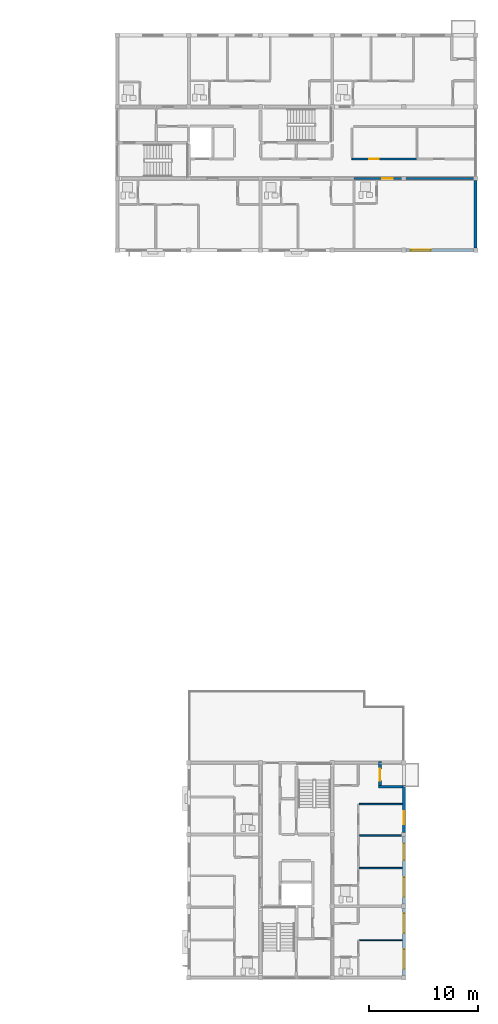
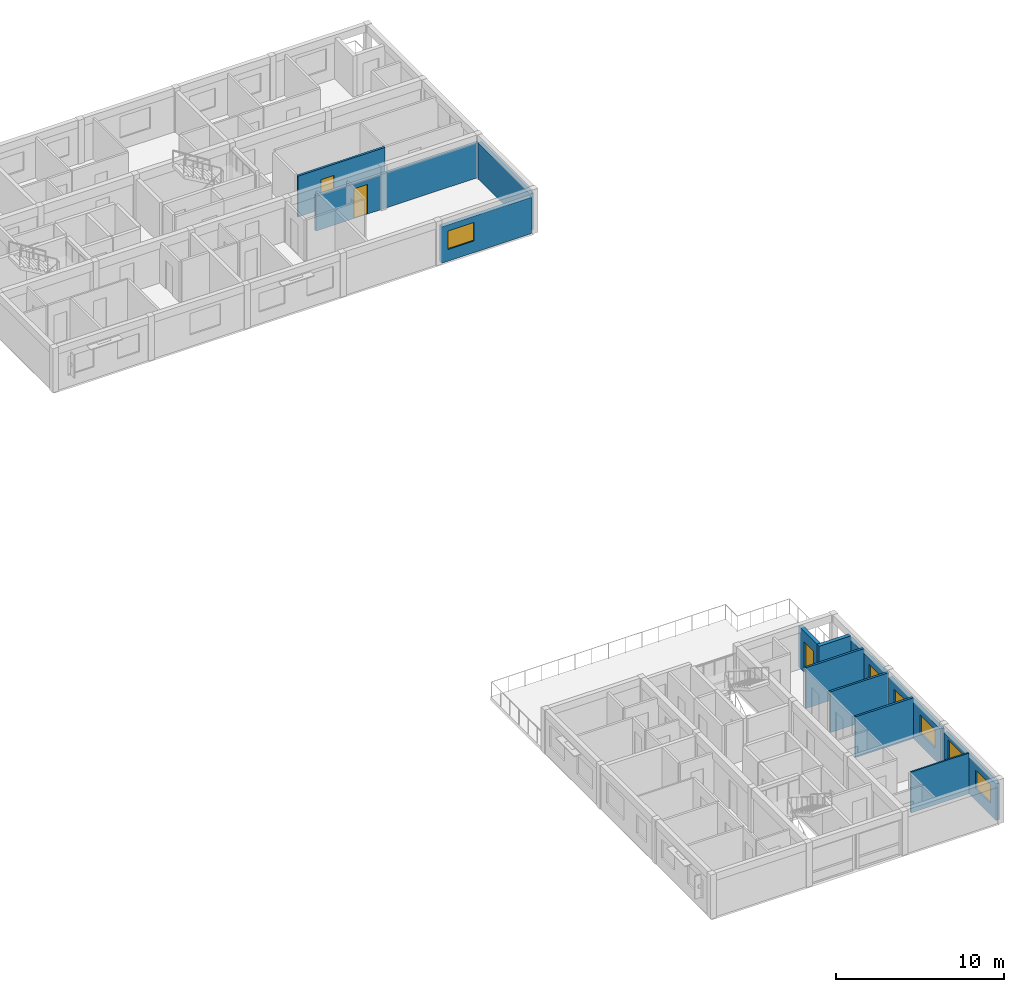
# One storey, part 26 of 37: 13 walls, 6 windows, 3 doors, 9 openings.
"""IFC4 building model written with IfcOpenShell, lengths in metres."""

from ifc_helpers import new_model, si_unit, direction, frame, frame_2d, origin, place, context, subcontext, project, spatial, rectangle, extrude, material, layer, layer_set, type_object, element, fill, save


model = new_model("IFC4")

# Units and contexts
model_context = context("Model", 3, precision=1e-05, world=origin(), true_north=direction((0.0, 1.0)))
body_context = subcontext(model_context, "Body", "Model", "MODEL_VIEW")
ifc_project = project(units=[si_unit("LENGTHUNIT", "METRE"), si_unit("AREAUNIT", "SQUARE_METRE"), si_unit("VOLUMEUNIT", "CUBIC_METRE"), si_unit("PLANEANGLEUNIT", "RADIAN"), si_unit("MASSUNIT", "GRAM", prefix="KILO")], contexts=[model_context])

# Site, building, storey
site_placement = place(None, origin())
site = spatial("IfcSite", under=ifc_project, at=site_placement, CompositionType="ELEMENT")
building_placement = place(site_placement, origin())
building = spatial("IfcBuilding", under=site, at=building_placement, Name="Kernevlak Ridge Housing Community", CompositionType="ELEMENT")
storey_placement = place(building_placement, frame((0.0, 0.0, 37.199951171875)))
storey = spatial("IfcBuildingStorey", under=building, at=storey_placement, Name="L11", CompositionType="ELEMENT", Elevation=37.199951171875)

# Wall, opening, window
ifc_material_1 = material(Name="Concrete block masonry M10", Category="masonry")
ifc_layer_1 = layer(ifc_material_1, 0.260009765625, Name="Concrete block masonry M10")
ifc_layer_set_1 = layer_set([ifc_layer_1], Name="Concrete block masonry M10")
wall_type_1 = type_object("IfcWallType", Name="EW-05", PredefinedType="STANDARD", material=ifc_layer_set_1)
wall_1_placement = place(storey_placement, frame((146.0, 82.60009765625, 0.0), z_axis=(0.0, 0.0, 1.0), x_axis=(1.0, 0.0, 0.0)))
wall_1 = element("IfcWall", 1, at=wall_1_placement, inside=storey, type_object=wall_type_1, Name="Exterior wall EW-05 L11 471", PredefinedType="STANDARD", context=body_context, shape_type="SweptSolid", body=[
    extrude(rectangle(XDim=6.199951171875, YDim=0.260009765625, at=frame_2d((3.10009765625, 0.0))), origin(), (0.0, 0.0, 1.0), 2.650146484375),
])
opening_1_placement = place(wall_1_placement, frame((0.449951171875, 0.0, 0.85009765625)))
opening_1 = element("IfcOpeningElement", 2, at=opening_1_placement, cuts=wall_1, Name="Opening WT-03", PredefinedType="OPENING", context=body_context, shape_type="SweptSolid", body=[
    extrude(rectangle(XDim=1.800048828125, YDim=1.35009765625, at=frame_2d((0.89990234375, 0.675048828125))), frame((0.0, 0.139892578125, 0.0), z_axis=(0.0, -1.0, 0.0), x_axis=(1.0, 0.0, 0.0)), (0.0, 0.0, 1.0), 0.280029296875),
])
ifc_material_2 = material(Name="Aluminium EN AW-6060 anodised and laminated glass", Category="aluminium")
window_type_1 = type_object("IfcWindowType", Name="WT-03", PartitioningType="SINGLE_PANEL", PredefinedType="WINDOW", material=ifc_material_2)
window_1_placement = place(opening_1_placement, origin())
window_1 = element("IfcWindow", 3, at=window_1_placement, inside=storey, type_object=window_type_1, Name="Window WT-03 L11 366", OverallHeight=1.35009765625, OverallWidth=1.800048828125, PartitioningType="SINGLE_PANEL", PredefinedType="WINDOW", context=body_context, shape_type="SweptSolid", body=[
    extrude(rectangle(XDim=1.800048828125, YDim=1.35009765625, at=frame_2d((0.89990234375, 0.675048828125))), frame((0.0, 0.030029296875, 0.0), z_axis=(0.0, -1.0, 0.0), x_axis=(1.0, 0.0, 0.0)), (0.0, 0.0, 1.0), 0.06005859375),
])
fill(opening_1, window_1)

# Wall
wall_2_placement = place(storey_placement, frame((152.39990234375, 82.800048828125, 0.0), z_axis=(0.0, 0.0, 1.0), x_axis=(0.0, 1.0, 0.0)))
element("IfcWall", 4, at=wall_2_placement, inside=storey, type_object=wall_type_1, Name="Exterior wall EW-05 L11 481", PredefinedType="STANDARD", context=body_context, shape_type="SweptSolid", body=[
    extrude(rectangle(XDim=6.199951171875, YDim=0.260009765625, at=frame_2d((3.10009765625, 0.0))), origin(), (0.0, 0.0, 1.0), 2.650146484375),
])

# Wall, openings, windows
wall_3_placement = place(storey_placement, frame((145.800048828125, 15.800048828125, 0.0), z_axis=(0.0, 0.0, 1.0), x_axis=(0.0, 1.0, 0.0)))
wall_3 = element("IfcWall", 5, at=wall_3_placement, inside=storey, type_object=wall_type_1, Name="Exterior wall EW-05 L11 687", PredefinedType="STANDARD", context=body_context, shape_type="SweptSolid", body=[
    extrude(rectangle(XDim=6.199951171875, YDim=0.260009765625, at=frame_2d((3.10009765625, 0.0))), origin(), (0.0, 0.0, 1.0), 2.650146484375),
])
opening_2_placement = place(wall_3_placement, frame((0.625, 0.0, 0.85009765625)))
opening_2 = element("IfcOpeningElement", 6, at=opening_2_placement, cuts=wall_3, Name="Opening WT-03", PredefinedType="OPENING", context=body_context, shape_type="SweptSolid", body=[
    extrude(rectangle(XDim=1.800048828125, YDim=1.35009765625, at=frame_2d((0.89990234375, 0.675048828125))), frame((0.0, 0.139892578125, 0.0), z_axis=(0.0, -1.0, 0.0), x_axis=(1.0, 0.0, 0.0)), (0.0, 0.0, 1.0), 0.280029296875),
])
opening_3_placement = place(wall_3_placement, frame((3.925048828125, 0.0, 0.85009765625)))
opening_3 = element("IfcOpeningElement", 7, at=opening_3_placement, cuts=wall_3, Name="Opening WT-04", PredefinedType="OPENING", context=body_context, shape_type="SweptSolid", body=[
    extrude(rectangle(XDim=1.800048828125, YDim=1.550048828125, at=frame_2d((0.89990234375, 0.77490234375))), frame((0.0, 0.139892578125, 0.0), z_axis=(0.0, -1.0, 0.0), x_axis=(1.0, 0.0, 0.0)), (0.0, 0.0, 1.0), 0.280029296875),
])
window_2_placement = place(opening_2_placement, origin())
window_2 = element("IfcWindow", 8, at=window_2_placement, inside=storey, type_object=window_type_1, Name="Window WT-03 L11 562", OverallHeight=1.35009765625, OverallWidth=1.800048828125, PartitioningType="SINGLE_PANEL", PredefinedType="WINDOW", context=body_context, shape_type="SweptSolid", body=[
    extrude(rectangle(XDim=1.800048828125, YDim=1.35009765625, at=frame_2d((0.89990234375, 0.675048828125))), frame((0.0, 0.030029296875, 0.0), z_axis=(0.0, -1.0, 0.0), x_axis=(1.0, 0.0, 0.0)), (0.0, 0.0, 1.0), 0.06005859375),
])
fill(opening_2, window_2)
window_type_2 = type_object("IfcWindowType", Name="WT-04", PartitioningType="SINGLE_PANEL", PredefinedType="WINDOW", material=ifc_material_2)
window_3_placement = place(opening_3_placement, origin())
window_3 = element("IfcWindow", 9, at=window_3_placement, inside=storey, type_object=window_type_2, Name="Window WT-04 L11 563", OverallHeight=1.550048828125, OverallWidth=1.800048828125, PartitioningType="SINGLE_PANEL", PredefinedType="WINDOW", context=body_context, shape_type="SweptSolid", body=[
    extrude(rectangle(XDim=1.800048828125, YDim=1.550048828125, at=frame_2d((0.89990234375, 0.77490234375))), frame((0.0, 0.030029296875, 0.0), z_axis=(0.0, -1.0, 0.0), x_axis=(1.0, 0.0, 0.0)), (0.0, 0.0, 1.0), 0.06005859375),
])
fill(opening_3, window_3)

wall_4_placement = place(storey_placement, frame((145.800048828125, 22.39990234375, 0.0), z_axis=(0.0, 0.0, 1.0), x_axis=(0.0, 1.0, 0.0)))
wall_4 = element("IfcWall", 10, at=wall_4_placement, inside=storey, type_object=wall_type_1, Name="Exterior wall EW-05 L11 688", PredefinedType="STANDARD", context=body_context, shape_type="SweptSolid", body=[
    extrude(rectangle(XDim=6.2001953125, YDim=0.260009765625, at=frame_2d((3.10009765625, 0.0))), origin(), (0.0, 0.0, 1.0), 2.650146484375),
])
opening_4_placement = place(wall_4_placement, frame((0.64990234375, 0.0, 0.85009765625)))
opening_4 = element("IfcOpeningElement", 11, at=opening_4_placement, cuts=wall_4, Name="Opening WT-03", PredefinedType="OPENING", context=body_context, shape_type="SweptSolid", body=[
    extrude(rectangle(XDim=1.800048828125, YDim=1.35009765625, at=frame_2d((0.89990234375, 0.675048828125))), frame((0.0, 0.139892578125, 0.0), z_axis=(0.0, -1.0, 0.0), x_axis=(1.0, 0.0, 0.0)), (0.0, 0.0, 1.0), 0.280029296875),
])
opening_5_placement = place(wall_4_placement, frame((4.050048828125, 0.0, 0.85009765625)))
opening_5 = element("IfcOpeningElement", 12, at=opening_5_placement, cuts=wall_4, Name="Opening WT-02", PredefinedType="OPENING", context=body_context, shape_type="SweptSolid", body=[
    extrude(rectangle(XDim=1.5, YDim=1.35009765625, at=frame_2d((0.75, 0.675048828125))), frame((0.0, 0.139892578125, 0.0), z_axis=(0.0, -1.0, 0.0), x_axis=(1.0, 0.0, 0.0)), (0.0, 0.0, 1.0), 0.280029296875),
])
window_type_3 = type_object("IfcWindowType", Name="WT-02", PartitioningType="SINGLE_PANEL", PredefinedType="WINDOW", material=ifc_material_2)
window_4_placement = place(opening_5_placement, origin())
window_4 = element("IfcWindow", 13, at=window_4_placement, inside=storey, type_object=window_type_3, Name="Window WT-02 L11 565", OverallHeight=1.35009765625, OverallWidth=1.5, PartitioningType="SINGLE_PANEL", PredefinedType="WINDOW", context=body_context, shape_type="SweptSolid", body=[
    extrude(rectangle(XDim=1.5, YDim=1.35009765625, at=frame_2d((0.75, 0.675048828125))), frame((0.0, 0.030029296875, 0.0), z_axis=(0.0, -1.0, 0.0), x_axis=(1.0, 0.0, 0.0)), (0.0, 0.0, 1.0), 0.06005859375),
])
fill(opening_5, window_4)
window_5_placement = place(opening_4_placement, origin())
window_5 = element("IfcWindow", 14, at=window_5_placement, inside=storey, type_object=window_type_1, Name="Window WT-03 L11 564", OverallHeight=1.35009765625, OverallWidth=1.800048828125, PartitioningType="SINGLE_PANEL", PredefinedType="WINDOW", context=body_context, shape_type="SweptSolid", body=[
    extrude(rectangle(XDim=1.800048828125, YDim=1.35009765625, at=frame_2d((0.89990234375, 0.675048828125))), frame((0.0, 0.030029296875, 0.0), z_axis=(0.0, -1.0, 0.0), x_axis=(1.0, 0.0, 0.0)), (0.0, 0.0, 1.0), 0.06005859375),
])
fill(opening_4, window_5)

# Wall, opening, window
wall_5_placement = place(storey_placement, frame((145.800048828125, 29.0, 0.0), z_axis=(0.0, 0.0, 1.0), x_axis=(0.0, 1.0, 0.0)))
wall_5 = element("IfcWall", 15, at=wall_5_placement, inside=storey, type_object=wall_type_1, Name="Exterior wall EW-05 L11 689", PredefinedType="STANDARD", context=body_context, shape_type="SweptSolid", body=[
    extrude(rectangle(XDim=4.330078125, YDim=0.260009765625, at=frame_2d((2.1650390625, 0.0))), origin(), (0.0, 0.0, 1.0), 2.650146484375),
])
opening_6_placement = place(wall_5_placement, frame((0.75, 0.0, 0.85009765625)))
opening_6 = element("IfcOpeningElement", 16, at=opening_6_placement, cuts=wall_5, Name="Opening WT-01", PredefinedType="OPENING", context=body_context, shape_type="SweptSolid", body=[
    extrude(rectangle(XDim=1.199951171875, YDim=1.35009765625, at=frame_2d((0.60009765625, 0.675048828125))), frame((0.0, 0.139892578125, 0.0), z_axis=(0.0, -1.0, 0.0), x_axis=(1.0, 0.0, 0.0)), (0.0, 0.0, 1.0), 0.280029296875),
])
window_type_4 = type_object("IfcWindowType", Name="WT-01", PartitioningType="SINGLE_PANEL", PredefinedType="WINDOW", material=ifc_material_2)
window_6_placement = place(opening_6_placement, origin())
window_6 = element("IfcWindow", 17, at=window_6_placement, inside=storey, type_object=window_type_4, Name="Window WT-01 L11 566", OverallHeight=1.35009765625, OverallWidth=1.199951171875, PartitioningType="SINGLE_PANEL", PredefinedType="WINDOW", context=body_context, shape_type="SweptSolid", body=[
    extrude(rectangle(XDim=1.199951171875, YDim=1.35009765625, at=frame_2d((0.60009765625, 0.675048828125))), frame((0.0, 0.030029296875, 0.0), z_axis=(0.0, -1.0, 0.0), x_axis=(1.0, 0.0, 0.0)), (0.0, 0.0, 1.0), 0.06005859375),
])
fill(opening_6, window_6)

# Wall
wall_6_placement = place(storey_placement, frame((145.669921875, 33.199951171875, 0.0), z_axis=(0.0, 0.0, 1.0), x_axis=(-1.0, 0.0, 0.0)))
element("IfcWall", 18, at=wall_6_placement, inside=storey, type_object=wall_type_1, Name="Exterior wall EW-05 L11 690", PredefinedType="STANDARD", context=body_context, shape_type="SweptSolid", body=[
    extrude(rectangle(XDim=2.199951171875, YDim=0.260009765625, at=frame_2d((1.10009765625, 0.0))), origin(), (0.0, 0.0, 1.0), 2.969970703125),
])

# Wall, opening, door
wall_7_placement = place(storey_placement, frame((143.60009765625, 33.330078125, 0.0), z_axis=(0.0, 0.0, 1.0), x_axis=(0.0, 1.0, 0.0)))
wall_7 = element("IfcWall", 19, at=wall_7_placement, inside=storey, type_object=wall_type_1, Name="Exterior wall EW-05 L11 691", PredefinedType="STANDARD", context=body_context, shape_type="SweptSolid", body=[
    extrude(rectangle(XDim=2.199951171875, YDim=0.260009765625, at=frame_2d((1.10009765625, 0.0))), origin(), (0.0, 0.0, 1.0), 2.969970703125),
])
opening_7_placement = place(wall_7_placement, frame((0.429931640625, 0.0, 0.0)))
opening_7 = element("IfcOpeningElement", 20, at=opening_7_placement, cuts=wall_7, Name="Opening E443", PredefinedType="OPENING", context=body_context, shape_type="SweptSolid", body=[
    extrude(rectangle(XDim=1.080078125, YDim=2.219970703125, at=frame_2d((0.5400390625, 1.10986328125))), frame((0.0, 0.139892578125, 0.0), z_axis=(0.0, -1.0, 0.0), x_axis=(1.0, 0.0, 0.0)), (0.0, 0.0, 1.0), 0.280029296875),
])
ifc_material_3 = material(Name="Aluminium EN AW-6060 and laminated safety glass", Category="aluminium")
door_type_1 = type_object("IfcDoorType", Name="DT-34", OperationType="NOTDEFINED", PredefinedType="DOOR", material=ifc_material_3)
door_1_placement = place(opening_7_placement, origin())
door_1 = element("IfcDoor", 21, at=door_1_placement, inside=storey, type_object=door_type_1, Name="Flat C1122 corner balcony glazed door E443", OperationType="SINGLE_SWING_RIGHT", OverallHeight=2.219970703125, OverallWidth=1.080078125, PredefinedType="DOOR", context=body_context, shape_type="SweptSolid", body=[
    extrude(rectangle(XDim=1.080078125, YDim=2.219970703125, at=frame_2d((0.5400390625, 1.10986328125))), frame((0.0, 0.02490234375, 0.0), z_axis=(0.0, -1.0, 0.0), x_axis=(1.0, 0.0, 0.0)), (0.0, 0.0, 1.0), 0.050048828125),
])
fill(opening_7, door_1)

ifc_layer_2 = layer(ifc_material_1, 0.175048828125, Name="Concrete block masonry M10")
ifc_layer_set_2 = layer_set([ifc_layer_2], Name="Concrete block masonry M10")
wall_type_2 = type_object("IfcWallType", Name="PW-02", PredefinedType="PARTITIONING", material=ifc_layer_set_2)
wall_8_placement = place(storey_placement, frame((141.199951171875, 89.199951171875, 0.0), z_axis=(0.0, 0.0, 1.0), x_axis=(1.0, 0.0, 0.0)))
wall_8 = element("IfcWall", 22, at=wall_8_placement, inside=storey, type_object=wall_type_2, Name="Interior wall PW-02 WAL-INT-L11-1866", PredefinedType="PARTITIONING", context=body_context, shape_type="SweptSolid", body=[
    extrude(rectangle(XDim=11.199951171875, YDim=0.175048828125, at=frame_2d((5.60009765625, 0.0))), origin(), (0.0, 0.0, 1.0), 2.550048828125),
])
opening_8_placement = place(wall_8_placement, frame((2.60009765625, 0.0, 0.0)))
opening_8 = element("IfcOpeningElement", 23, at=opening_8_placement, cuts=wall_8, Name="Opening D944", PredefinedType="OPENING", context=body_context, shape_type="SweptSolid", body=[
    extrude(rectangle(XDim=0.949951171875, YDim=2.159912109375, at=frame_2d((0.47509765625, 1.080078125))), frame((0.0, 0.097412109375, 0.0), z_axis=(0.0, -1.0, 0.0), x_axis=(1.0, 0.0, 0.0)), (0.0, 0.0, 1.0), 0.195068359375),
])
ifc_material_4 = material(Name="Hardwood timber solid-core fire leaf", Category="wood")
door_type_2 = type_object("IfcDoorType", Name="DT-02", OperationType="NOTDEFINED", PredefinedType="DOOR", material=ifc_material_4)
door_2_placement = place(opening_8_placement, origin())
door_2 = element("IfcDoor", 24, at=door_2_placement, inside=storey, type_object=door_type_2, Name="Flat B1113 entrance fire door D944", OperationType="SINGLE_SWING_RIGHT", OverallHeight=2.159912109375, OverallWidth=0.949951171875, PredefinedType="DOOR", context=body_context, shape_type="SweptSolid", body=[
    extrude(rectangle(XDim=0.949951171875, YDim=2.159912109375, at=frame_2d((0.47509765625, 1.080078125))), frame((0.0, 0.02490234375, 0.0), z_axis=(0.0, -1.0, 0.0), x_axis=(1.0, 0.0, 0.0)), (0.0, 0.0, 1.0), 0.050048828125),
])
fill(opening_8, door_2)

ifc_layer_3 = layer(ifc_material_1, 0.14501953125, Name="Concrete block masonry M10")
ifc_layer_set_3 = layer_set([ifc_layer_3], Name="Concrete block masonry M10")
wall_type_3 = type_object("IfcWallType", Name="PW-03", PredefinedType="PARTITIONING", material=ifc_layer_set_3)
wall_9_placement = place(storey_placement, frame((141.0, 91.0, 0.0), z_axis=(0.0, 0.0, 1.0), x_axis=(1.0, 0.0, 0.0)))
wall_9 = element("IfcWall", 25, at=wall_9_placement, inside=storey, type_object=wall_type_3, Name="Interior wall PW-03 WAL-INT-L11-1844", PredefinedType="PARTITIONING", context=body_context, shape_type="SweptSolid", body=[
    extrude(rectangle(XDim=6.0, YDim=0.14501953125, at=frame_2d((3.0, 0.0))), origin(), (0.0, 0.0, 1.0), 2.969970703125),
])
opening_9_placement = place(wall_9_placement, frame((1.60009765625, 0.0, 0.0)))
opening_9 = element("IfcOpeningElement", 26, at=opening_9_placement, cuts=wall_9, Name="Opening D933", PredefinedType="OPENING", context=body_context, shape_type="SweptSolid", body=[
    extrude(rectangle(XDim=0.8798828125, YDim=2.159912109375, at=frame_2d((0.43994140625, 1.080078125))), frame((0.0, 0.08251953125, 0.0), z_axis=(0.0, -1.0, 0.0), x_axis=(1.0, 0.0, 0.0)), (0.0, 0.0, 1.0), 0.1650390625),
])
ifc_material_5 = material(Name="Hardwood timber leaf", Category="wood")
door_type_3 = type_object("IfcDoorType", Name="DT-26", OperationType="NOTDEFINED", PredefinedType="DOOR", material=ifc_material_5)
door_3_placement = place(opening_9_placement, origin())
door_3 = element("IfcDoor", 27, at=door_3_placement, inside=storey, type_object=door_type_3, Name="Block B Laundry room door D933", OperationType="SINGLE_SWING_LEFT", OverallHeight=2.159912109375, OverallWidth=0.8798828125, PredefinedType="DOOR", context=body_context, shape_type="SweptSolid", body=[
    extrude(rectangle(XDim=0.8798828125, YDim=2.159912109375, at=frame_2d((0.43994140625, 1.080078125))), frame((0.0, 0.02490234375, 0.0), z_axis=(0.0, -1.0, 0.0), x_axis=(1.0, 0.0, 0.0)), (0.0, 0.0, 1.0), 0.050048828125),
])
fill(opening_9, door_3)

# Walls
wall_10_placement = place(storey_placement, frame((141.6826171875, 25.699951171875, 0.0), z_axis=(0.0, 0.0, 1.0), x_axis=(1.0, 0.0, 0.0)))
element("IfcWall", 28, at=wall_10_placement, inside=storey, type_object=wall_type_3, Name="Interior wall PW-03 WAL-INT-L11-2838", PredefinedType="PARTITIONING", context=body_context, shape_type="SweptSolid", body=[
    extrude(rectangle(XDim=3.977294921875, YDim=0.14501953125, at=frame_2d((1.98876953125, 0.0))), origin(), (0.0, 0.0, 1.0), 2.969970703125),
])
wall_11_placement = place(storey_placement, frame((141.6826171875, 28.699951171875, 0.0), z_axis=(0.0, 0.0, 1.0), x_axis=(1.0, 0.0, 0.0)))
element("IfcWall", 29, at=wall_11_placement, inside=storey, type_object=wall_type_3, Name="Interior wall PW-03 WAL-INT-L11-2840", PredefinedType="PARTITIONING", context=body_context, shape_type="SweptSolid", body=[
    extrude(rectangle(XDim=4.037353515625, YDim=0.14501953125, at=frame_2d((2.0185546875, 0.0))), origin(), (0.0, 0.0, 1.0), 2.969970703125),
])
wall_12_placement = place(storey_placement, frame((141.679931640625, 31.60009765625, 0.0), z_axis=(0.0, 0.0, 1.0), x_axis=(1.0, 0.0, 0.0)))
element("IfcWall", 30, at=wall_12_placement, inside=storey, type_object=wall_type_3, Name="Interior wall PW-03 WAL-INT-L11-2842", PredefinedType="PARTITIONING", context=body_context, shape_type="SweptSolid", body=[
    extrude(rectangle(XDim=3.97998046875, YDim=0.14501953125, at=frame_2d((1.989990234375, 0.0))), origin(), (0.0, 0.0, 1.0), 2.969970703125),
])
ifc_material_6 = material(Name="Gypsum plasterboard EN 520", Category="gypsum")
ifc_layer_4 = layer(ifc_material_6, 0.10498046875, Name="Gypsum plasterboard EN 520")
ifc_layer_set_4 = layer_set([ifc_layer_4], Name="Gypsum plasterboard EN 520")
wall_type_4 = type_object("IfcWallType", Name="PW-06", PredefinedType="PARTITIONING", material=ifc_layer_set_4)
wall_13_placement = place(storey_placement, frame((141.6826171875, 19.050048828125, 0.0), z_axis=(0.0, 0.0, 1.0), x_axis=(1.0, 0.0, 0.0)))
element("IfcWall", 31, at=wall_13_placement, inside=storey, type_object=wall_type_4, Name="Interior wall PW-06 WAL-INT-L11-2831", PredefinedType="PARTITIONING", context=body_context, shape_type="SweptSolid", body=[
    extrude(rectangle(XDim=3.977294921875, YDim=0.10498046875, at=frame_2d((1.98876953125, 0.0))), origin(), (0.0, 0.0, 1.0), 2.969970703125),
])

save(model, "model.ifc")
